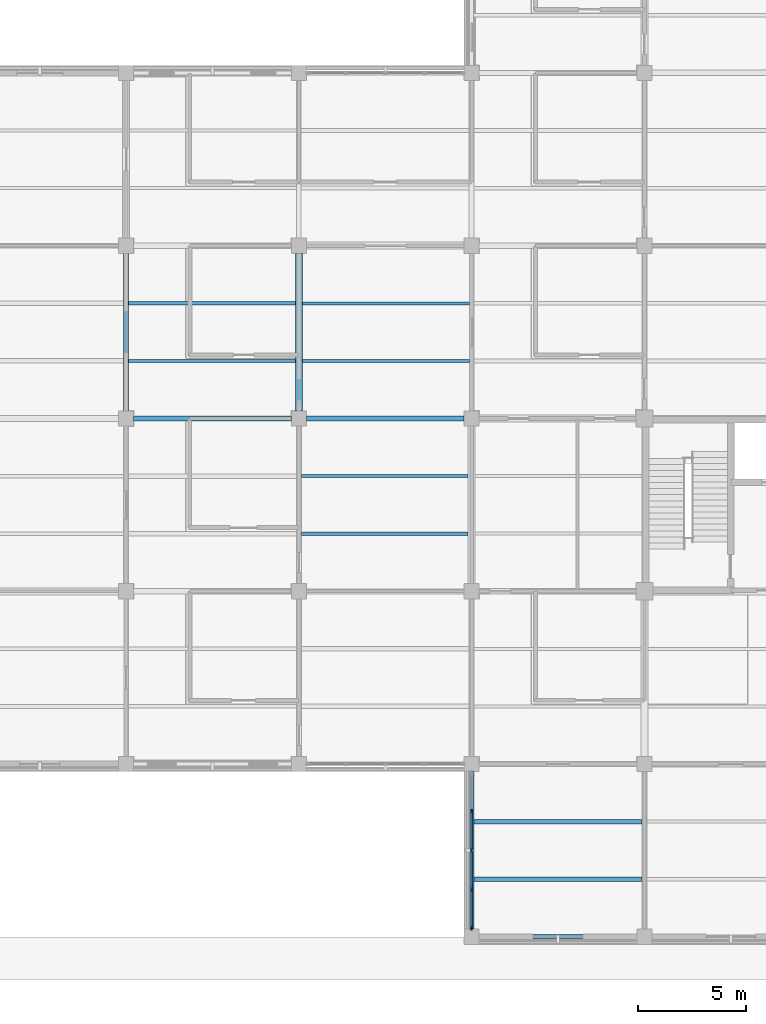
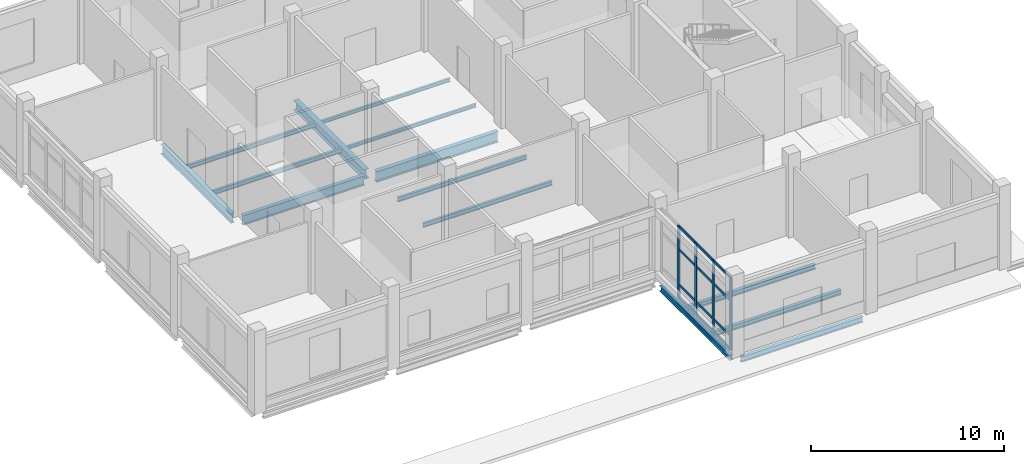
# One storey, part 34 of 105: 16 members, 14 beams, 1 element without a shape of its own.
"""IFC4 building model written with IfcOpenShell, lengths in metres."""

from ifc_helpers import new_model, si_unit, derived_unit, direction, frame, origin, origin_2d, place, context, subcontext, project, spatial, rectangle, i_section, extrude, material, layer, layer_set, material_profile, profile_set, type_object, element, aggregate, save


model = new_model("IFC4")

# Units and contexts
model_context = context("Model", 3, precision=1e-05, world=origin(), true_north=direction((0.0, 1.0)))
body_context = subcontext(model_context, "Body", "Model", "MODEL_VIEW")
ifc_project = project(units=[si_unit("LENGTHUNIT", "METRE"), si_unit("AREAUNIT", "SQUARE_METRE"), si_unit("VOLUMEUNIT", "CUBIC_METRE"), si_unit("PLANEANGLEUNIT", "RADIAN"), si_unit("MASSUNIT", "GRAM", prefix="KILO"), derived_unit("THERMALTRANSMITTANCEUNIT", [(si_unit("MASSUNIT", "GRAM", prefix="KILO"), 1), (si_unit("TIMEUNIT", "SECOND"), -3), (si_unit("THERMODYNAMICTEMPERATUREUNIT", "KELVIN"), -1)])], contexts=[model_context])

# Site, building, storey
site_placement = place(None, origin())
site = spatial("IfcSite", under=ifc_project, at=site_placement, CompositionType="ELEMENT")
building_placement = place(site_placement, origin())
building = spatial("IfcBuilding", under=site, at=building_placement, Name="Veyamyaing Civic Hall", CompositionType="ELEMENT")
storey_placement = place(building_placement, origin())
storey = spatial("IfcBuildingStorey", under=building, at=storey_placement, Name="L00", CompositionType="ELEMENT", Elevation=0.0)

# Beams
ifc_material_1 = material(Name="Steel ASTM A992", Category="steel")
ifc_material_profile_1 = material_profile(ifc_material_1, i_section(OverallWidth=0.22998046875, OverallDepth=0.616943359375, WebThickness=0.01318359375, FlangeThickness=0.022216796875, FilletRadius=0.012939453125, at=origin_2d()), Name="W610X140")
ifc_profile_set_1 = profile_set([ifc_material_profile_1], Name="Steel ASTM A992")
beam_type_1 = type_object("IfcBeamType", Name="B-05", PredefinedType="BEAM", material=ifc_profile_set_1)
beam_1_placement = place(storey_placement, frame((144.35009765625, 24.0, -0.573486328125), z_axis=(1.0, 0.0, 0.0), x_axis=(0.0, 1.0, 0.0)))
element("IfcBeam", 1, at=beam_1_placement, inside=storey, type_object=beam_type_1, Name="Girder B-05 L00 Grid D 19-20", PredefinedType="BEAM", context=body_context, shape_type="SweptSolid", body=[
    extrude(i_section(OverallWidth=0.22998046875, OverallDepth=0.616943359375, WebThickness=0.01318359375, FlangeThickness=0.022216796875, FilletRadius=0.012939453125, at=origin_2d()), origin(), (0.0, 0.0, 1.0), 7.2998046875),
])
ifc_material_profile_2 = material_profile(ifc_material_1, i_section(OverallWidth=0.22802734375, OverallDepth=0.60791015625, WebThickness=0.01123046875, FlangeThickness=0.017333984375, FilletRadius=0.012939453125, at=origin_2d()), Name="W610X113")
ifc_profile_set_2 = profile_set([ifc_material_profile_2], Name="Steel ASTM A992")
beam_type_2 = type_object("IfcBeamType", Name="B-06", PredefinedType="BEAM", material=ifc_profile_set_2)
beam_2_placement = place(storey_placement, frame((144.0, 24.35009765625, -0.569091796875), z_axis=(0.0, 1.0, 0.0), x_axis=(-1.0, 0.0, 0.0)))
element("IfcBeam", 2, at=beam_2_placement, inside=storey, type_object=beam_type_2, Name="Girder B-06 L00 Grid 19 D-E", PredefinedType="BEAM", context=body_context, shape_type="SweptSolid", body=[
    extrude(i_section(OverallWidth=0.22802734375, OverallDepth=0.60791015625, WebThickness=0.01123046875, FlangeThickness=0.017333984375, FilletRadius=0.012939453125, at=origin_2d()), origin(), (0.0, 0.0, 1.0), 7.2998046875),
])
ifc_material_profile_3 = material_profile(ifc_material_1, i_section(OverallWidth=0.2041015625, OverallDepth=0.35009765625, WebThickness=0.0078125, FlangeThickness=0.01513671875, FilletRadius=0.010009765625, at=origin_2d()), Name="W360X72")
ifc_profile_set_3 = profile_set([ifc_material_profile_3], Name="Steel ASTM A992")
beam_type_3 = type_object("IfcBeamType", Name="B-11", PredefinedType="SPANDREL", material=ifc_profile_set_3)
for number, where, z_axis, x_axis, name in (
    (3, (160.35009765625, 0.0, -0.43994140625), (1.0, 0.0, 0.0), (0.0, 1.0, 0.0), "Girder B-11 L00 Grid A 21-22"),
    (4, (160.0, 0.35009765625, -0.43994140625), (0.0, 1.0, 0.0), (-1.0, 0.0, 0.0), "Girder B-11 L00 Grid 21 A-B"),
):
    element("IfcBeam", number, at=place(storey_placement, frame(where, z_axis=z_axis, x_axis=x_axis)), inside=storey, type_object=beam_type_3, Name=name, PredefinedType="SPANDREL", context=body_context, shape_type="SweptSolid", body=[
        extrude(i_section(OverallWidth=0.2041015625, OverallDepth=0.35009765625, WebThickness=0.0078125, FlangeThickness=0.01513671875, FilletRadius=0.010009765625, at=origin_2d()), origin(), (0.0, 0.0, 1.0), 7.2998046875),
    ])
ifc_material_profile_4 = material_profile(ifc_material_1, i_section(OverallWidth=0.25390625, OverallDepth=0.68408203125, WebThickness=0.012451171875, FlangeThickness=0.01904296875, FilletRadius=0.013916015625, at=origin_2d()), Name="W690X140")
ifc_profile_set_4 = profile_set([ifc_material_profile_4], Name="Steel ASTM A992")
beam_type_4 = type_object("IfcBeamType", Name="B-14", PredefinedType="BEAM", material=ifc_profile_set_4)
beam_3_placement = place(storey_placement, frame((152.35009765625, 24.0, -0.60693359375), z_axis=(1.0, 0.0, 0.0), x_axis=(0.0, 1.0, 0.0)))
element("IfcBeam", 5, at=beam_3_placement, inside=storey, type_object=beam_type_4, Name="Girder B-14 L00 Grid D 20-21", PredefinedType="BEAM", context=body_context, shape_type="SweptSolid", body=[
    extrude(i_section(OverallWidth=0.25390625, OverallDepth=0.68408203125, WebThickness=0.012451171875, FlangeThickness=0.01904296875, FilletRadius=0.013916015625, at=origin_2d()), origin(), (0.0, 0.0, 1.0), 7.2998046875),
])
ifc_material_profile_5 = material_profile(ifc_material_1, i_section(OverallWidth=0.324951171875, OverallDepth=0.615966796875, WebThickness=0.013916015625, FlangeThickness=0.021484375, FilletRadius=0.013916015625, at=origin_2d()), Name="W610X174")
ifc_profile_set_5 = profile_set([ifc_material_profile_5], Name="Steel ASTM A992")
beam_type_5 = type_object("IfcBeamType", Name="B-15", PredefinedType="BEAM", material=ifc_profile_set_5)
beam_4_placement = place(storey_placement, frame((152.0, 24.35009765625, -0.572998046875), z_axis=(0.0, 1.0, 0.0), x_axis=(-1.0, 0.0, 0.0)))
element("IfcBeam", 6, at=beam_4_placement, inside=storey, type_object=beam_type_5, Name="Girder B-15 L00 Grid 20 D-E", PredefinedType="BEAM", context=body_context, shape_type="SweptSolid", body=[
    extrude(i_section(OverallWidth=0.324951171875, OverallDepth=0.615966796875, WebThickness=0.013916015625, FlangeThickness=0.021484375, FilletRadius=0.013916015625, at=origin_2d()), origin(), (0.0, 0.0, 1.0), 7.2998046875),
])

# Curtain wall, members
ifc_material_2 = material(Name="Anodised aluminium 6063-T6", Category="aluminium")
ifc_layer = layer(ifc_material_2, 0.199951171875, Name="Anodised aluminium 6063-T6")
ifc_layer_set = layer_set([ifc_layer], Name="Anodised aluminium 6063-T6")
curtain_wall_type = type_object("IfcCurtainWallType", Name="CW-10", PredefinedType="NOTDEFINED", material=ifc_layer_set)
curtain_wall_placement = place(storey_placement, origin())
curtain_wall = element("IfcCurtainWall", 7, at=curtain_wall_placement, inside=storey, type_object=curtain_wall_type, Name="Unitized curtain wall CW-10 L00 W 21.1", PredefinedType="NOTDEFINED")
ifc_material_profile_6 = material_profile(ifc_material_2, rectangle(XDim=0.070068359375, YDim=0.199951171875, at=origin_2d()), Name="ALU-MUL-70X200")
ifc_profile_set_6 = profile_set([ifc_material_profile_6], Name="Anodised aluminium 6063-T6")
member_type_1 = type_object("IfcMemberType", Name="CWM-04", PredefinedType="MULLION", material=ifc_profile_set_6)
member_1_placement = place(storey_placement, frame((160.0, 0.4150390625, 0.0), z_axis=(0.0, 0.0, 1.0), x_axis=(-1.0, 0.0, 0.0)))
member_1 = element("IfcMember", 8, at=member_1_placement, type_object=member_type_1, Name="CW-10 mullion 1", PredefinedType="MULLION", context=body_context, shape_type="SweptSolid", body=[
    extrude(rectangle(XDim=0.070068359375, YDim=0.199951171875, at=origin_2d()), origin(), (0.0, 0.0, 1.0), 4.610107421875),
])
member_2_placement = place(storey_placement, frame((160.0, 2.18994140625, 0.0), z_axis=(0.0, 0.0, 1.0), x_axis=(-1.0, 0.0, 0.0)))
member_2 = element("IfcMember", 9, at=member_2_placement, type_object=member_type_1, Name="CW-10 mullion 2", PredefinedType="MULLION", context=body_context, shape_type="SweptSolid", body=[
    extrude(rectangle(XDim=0.070068359375, YDim=0.199951171875, at=origin_2d()), origin(), (0.0, 0.0, 1.0), 4.610107421875),
])
member_3_placement = place(storey_placement, frame((160.0, 4.0, 0.0), z_axis=(0.0, 0.0, 1.0), x_axis=(-1.0, 0.0, 0.0)))
member_3 = element("IfcMember", 10, at=member_3_placement, type_object=member_type_1, Name="CW-10 mullion 3", PredefinedType="MULLION", context=body_context, shape_type="SweptSolid", body=[
    extrude(rectangle(XDim=0.070068359375, YDim=0.199951171875, at=origin_2d()), origin(), (0.0, 0.0, 1.0), 4.610107421875),
])
member_4_placement = place(storey_placement, frame((160.0, 5.81005859375, 0.0), z_axis=(0.0, 0.0, 1.0), x_axis=(-1.0, 0.0, 0.0)))
member_4 = element("IfcMember", 11, at=member_4_placement, type_object=member_type_1, Name="CW-10 mullion 4", PredefinedType="MULLION", context=body_context, shape_type="SweptSolid", body=[
    extrude(rectangle(XDim=0.070068359375, YDim=0.199951171875, at=origin_2d()), origin(), (0.0, 0.0, 1.0), 4.610107421875),
])
ifc_material_profile_7 = material_profile(ifc_material_2, rectangle(XDim=0.070068359375, YDim=0.14990234375, at=origin_2d()), Name="ALU-TRN-70X150")
ifc_profile_set_7 = profile_set([ifc_material_profile_7], Name="Anodised aluminium 6063-T6")
member_type_2 = type_object("IfcMemberType", Name="CWT-04", PredefinedType="USERDEFINED", material=ifc_profile_set_7)
member_5_placement = place(storey_placement, frame((160.0, 0.449951171875, 0.034912109375), z_axis=(0.0, 1.0, 0.0), x_axis=(-1.0, 0.0, 0.0)))
member_5 = element("IfcMember", 12, at=member_5_placement, type_object=member_type_2, Name="CW-10 transom 1.1", ObjectType="TRANSOM", PredefinedType="USERDEFINED", context=body_context, shape_type="SweptSolid", body=[
    extrude(rectangle(XDim=0.070068359375, YDim=0.14990234375, at=origin_2d()), origin(), (0.0, 0.0, 1.0), 1.705078125),
])
member_6_placement = place(storey_placement, frame((160.0, 0.449951171875, 0.89990234375), z_axis=(0.0, 1.0, 0.0), x_axis=(-1.0, 0.0, 0.0)))
member_6 = element("IfcMember", 13, at=member_6_placement, type_object=member_type_2, Name="CW-10 transom 1.2", ObjectType="TRANSOM", PredefinedType="USERDEFINED", context=body_context, shape_type="SweptSolid", body=[
    extrude(rectangle(XDim=0.070068359375, YDim=0.14990234375, at=origin_2d()), origin(), (0.0, 0.0, 1.0), 1.705078125),
])
member_7_placement = place(storey_placement, frame((160.0, 0.449951171875, 3.134765625), z_axis=(0.0, 1.0, 0.0), x_axis=(-1.0, 0.0, 0.0)))
member_7 = element("IfcMember", 14, at=member_7_placement, type_object=member_type_2, Name="CW-10 transom 1.3", ObjectType="TRANSOM", PredefinedType="USERDEFINED", context=body_context, shape_type="SweptSolid", body=[
    extrude(rectangle(XDim=0.070068359375, YDim=0.14990234375, at=origin_2d()), origin(), (0.0, 0.0, 1.0), 1.705078125),
])
member_8_placement = place(storey_placement, frame((160.0, 0.449951171875, 4.574951171875), z_axis=(0.0, 1.0, 0.0), x_axis=(-1.0, 0.0, 0.0)))
member_8 = element("IfcMember", 15, at=member_8_placement, type_object=member_type_2, Name="CW-10 transom 1.4", ObjectType="TRANSOM", PredefinedType="USERDEFINED", context=body_context, shape_type="SweptSolid", body=[
    extrude(rectangle(XDim=0.070068359375, YDim=0.14990234375, at=origin_2d()), origin(), (0.0, 0.0, 1.0), 1.705078125),
])
member_9_placement = place(storey_placement, frame((160.0, 2.22509765625, 0.034912109375), z_axis=(0.0, 1.0, 0.0), x_axis=(-1.0, 0.0, 0.0)))
member_9 = element("IfcMember", 16, at=member_9_placement, type_object=member_type_2, Name="CW-10 transom 2.1", ObjectType="TRANSOM", PredefinedType="USERDEFINED", context=body_context, shape_type="SweptSolid", body=[
    extrude(rectangle(XDim=0.070068359375, YDim=0.14990234375, at=origin_2d()), origin(), (0.0, 0.0, 1.0), 1.739990234375),
])
member_10_placement = place(storey_placement, frame((160.0, 2.22509765625, 0.89990234375), z_axis=(0.0, 1.0, 0.0), x_axis=(-1.0, 0.0, 0.0)))
member_10 = element("IfcMember", 17, at=member_10_placement, type_object=member_type_2, Name="CW-10 transom 2.2", ObjectType="TRANSOM", PredefinedType="USERDEFINED", context=body_context, shape_type="SweptSolid", body=[
    extrude(rectangle(XDim=0.070068359375, YDim=0.14990234375, at=origin_2d()), origin(), (0.0, 0.0, 1.0), 1.739990234375),
])
member_11_placement = place(storey_placement, frame((160.0, 2.22509765625, 3.134765625), z_axis=(0.0, 1.0, 0.0), x_axis=(-1.0, 0.0, 0.0)))
member_11 = element("IfcMember", 18, at=member_11_placement, type_object=member_type_2, Name="CW-10 transom 2.3", ObjectType="TRANSOM", PredefinedType="USERDEFINED", context=body_context, shape_type="SweptSolid", body=[
    extrude(rectangle(XDim=0.070068359375, YDim=0.14990234375, at=origin_2d()), origin(), (0.0, 0.0, 1.0), 1.739990234375),
])
member_12_placement = place(storey_placement, frame((160.0, 2.22509765625, 4.574951171875), z_axis=(0.0, 1.0, 0.0), x_axis=(-1.0, 0.0, 0.0)))
member_12 = element("IfcMember", 19, at=member_12_placement, type_object=member_type_2, Name="CW-10 transom 2.4", ObjectType="TRANSOM", PredefinedType="USERDEFINED", context=body_context, shape_type="SweptSolid", body=[
    extrude(rectangle(XDim=0.070068359375, YDim=0.14990234375, at=origin_2d()), origin(), (0.0, 0.0, 1.0), 1.739990234375),
])
member_13_placement = place(storey_placement, frame((160.0, 4.034912109375, 0.034912109375), z_axis=(0.0, 1.0, 0.0), x_axis=(-1.0, 0.0, 0.0)))
member_13 = element("IfcMember", 20, at=member_13_placement, type_object=member_type_2, Name="CW-10 transom 3.1", ObjectType="TRANSOM", PredefinedType="USERDEFINED", context=body_context, shape_type="SweptSolid", body=[
    extrude(rectangle(XDim=0.070068359375, YDim=0.14990234375, at=origin_2d()), origin(), (0.0, 0.0, 1.0), 1.739990234375),
])
member_14_placement = place(storey_placement, frame((160.0, 4.034912109375, 0.89990234375), z_axis=(0.0, 1.0, 0.0), x_axis=(-1.0, 0.0, 0.0)))
member_14 = element("IfcMember", 21, at=member_14_placement, type_object=member_type_2, Name="CW-10 transom 3.2", ObjectType="TRANSOM", PredefinedType="USERDEFINED", context=body_context, shape_type="SweptSolid", body=[
    extrude(rectangle(XDim=0.070068359375, YDim=0.14990234375, at=origin_2d()), origin(), (0.0, 0.0, 1.0), 1.739990234375),
])
member_15_placement = place(storey_placement, frame((160.0, 4.034912109375, 3.134765625), z_axis=(0.0, 1.0, 0.0), x_axis=(-1.0, 0.0, 0.0)))
member_15 = element("IfcMember", 22, at=member_15_placement, type_object=member_type_2, Name="CW-10 transom 3.3", ObjectType="TRANSOM", PredefinedType="USERDEFINED", context=body_context, shape_type="SweptSolid", body=[
    extrude(rectangle(XDim=0.070068359375, YDim=0.14990234375, at=origin_2d()), origin(), (0.0, 0.0, 1.0), 1.739990234375),
])
member_16_placement = place(storey_placement, frame((160.0, 4.034912109375, 4.574951171875), z_axis=(0.0, 1.0, 0.0), x_axis=(-1.0, 0.0, 0.0)))
member_16 = element("IfcMember", 23, at=member_16_placement, type_object=member_type_2, Name="CW-10 transom 3.4", ObjectType="TRANSOM", PredefinedType="USERDEFINED", context=body_context, shape_type="SweptSolid", body=[
    extrude(rectangle(XDim=0.070068359375, YDim=0.14990234375, at=origin_2d()), origin(), (0.0, 0.0, 1.0), 1.739990234375),
])
aggregate(curtain_wall, [member_1, member_2, member_3, member_4, member_5, member_6, member_7, member_8, member_9, member_10, member_11, member_12, member_13, member_14, member_15, member_16])

# Beams
ifc_material_profile_8 = material_profile(ifc_material_1, i_section(OverallWidth=0.2041015625, OverallDepth=0.305908203125, WebThickness=0.008544921875, FlangeThickness=0.0146484375, FilletRadius=0.010009765625, at=origin_2d()), Name="W310X67")
ifc_profile_set_8 = profile_set([ifc_material_profile_8], Name="Steel ASTM A992")
beam_type_6 = type_object("IfcBeamType", Name="J-06", PredefinedType="JOIST", material=ifc_profile_set_8)
for number, where, z_axis, x_axis, name in (
    (24, (160.10009765625, 2.666748046875, -0.41796875), (1.0, 0.0, 0.0), (0.0, 1.0, 0.0), "Composite floor joist J-06 L00 21.1.1"),
    (25, (160.10009765625, 5.333251953125, -0.41796875), (1.0, 0.0, 0.0), (0.0, 1.0, 0.0), "Composite floor joist J-06 L00 21.1.2"),
):
    element("IfcBeam", number, at=place(storey_placement, frame(where, z_axis=z_axis, x_axis=x_axis)), inside=storey, type_object=beam_type_6, Name=name, PredefinedType="JOIST", context=body_context, shape_type="SweptSolid", body=[
        extrude(i_section(OverallWidth=0.2041015625, OverallDepth=0.305908203125, WebThickness=0.008544921875, FlangeThickness=0.0146484375, FilletRadius=0.010009765625, at=origin_2d()), origin(), (0.0, 0.0, 1.0), 7.787841796875),
    ])
ifc_material_profile_9 = material_profile(ifc_material_1, i_section(OverallWidth=0.14794921875, OverallDepth=0.26611328125, WebThickness=0.007568359375, FlangeThickness=0.012939453125, FilletRadius=0.010009765625, at=origin_2d()), Name="W250X45")
ifc_profile_set_9 = profile_set([ifc_material_profile_9], Name="Steel ASTM A992")
beam_type_7 = type_object("IfcBeamType", Name="J-07", PredefinedType="JOIST", material=ifc_profile_set_9)
for number, where, z_axis, x_axis, name in (
    (26, (144.112060546875, 26.666748046875, -0.39794921875), (1.0, 0.0, 0.0), (0.0, 1.0, 0.0), "Composite floor joist J-07 L00 19.4.1"),
    (27, (144.112060546875, 29.333251953125, -0.39794921875), (1.0, 0.0, 0.0), (0.0, 1.0, 0.0), "Composite floor joist J-07 L00 19.4.2"),
    (28, (152.112060546875, 18.666748046875, -0.39794921875), (1.0, 0.0, 0.0), (0.0, 1.0, 0.0), "Composite floor joist J-07 L00 20.3.1"),
    (29, (152.112060546875, 21.333251953125, -0.39794921875), (1.0, 0.0, 0.0), (0.0, 1.0, 0.0), "Composite floor joist J-07 L00 20.3.2"),
):
    element("IfcBeam", number, at=place(storey_placement, frame(where, z_axis=z_axis, x_axis=x_axis)), inside=storey, type_object=beam_type_7, Name=name, PredefinedType="JOIST", context=body_context, shape_type="SweptSolid", body=[
        extrude(i_section(OverallWidth=0.14794921875, OverallDepth=0.26611328125, WebThickness=0.007568359375, FlangeThickness=0.012939453125, FilletRadius=0.010009765625, at=origin_2d()), origin(), (0.0, 0.0, 1.0), 7.7275390625),
    ])
ifc_material_profile_10 = material_profile(ifc_material_1, i_section(OverallWidth=0.133056640625, OverallDepth=0.20703125, WebThickness=0.005859375, FlangeThickness=0.00830078125, FilletRadius=0.010009765625, at=origin_2d()), Name="W200X27")
ifc_profile_set_10 = profile_set([ifc_material_profile_10], Name="Steel ASTM A992")
beam_type_8 = type_object("IfcBeamType", Name="J-08", PredefinedType="JOIST", material=ifc_profile_set_10)
for number, where, z_axis, x_axis, name in (
    (30, (152.160400390625, 26.666748046875, -0.368408203125), (1.0, 0.0, 0.0), (0.0, 1.0, 0.0), "Composite floor joist J-08 L00 20.4.1"),
    (31, (152.160400390625, 29.333251953125, -0.368408203125), (1.0, 0.0, 0.0), (0.0, 1.0, 0.0), "Composite floor joist J-08 L00 20.4.2"),
):
    element("IfcBeam", number, at=place(storey_placement, frame(where, z_axis=z_axis, x_axis=x_axis)), inside=storey, type_object=beam_type_8, Name=name, PredefinedType="JOIST", context=body_context, shape_type="SweptSolid", body=[
        extrude(i_section(OverallWidth=0.133056640625, OverallDepth=0.20703125, WebThickness=0.005859375, FlangeThickness=0.00830078125, FilletRadius=0.010009765625, at=origin_2d()), origin(), (0.0, 0.0, 1.0), 7.734619140625),
    ])

save(model, "model.ifc")
